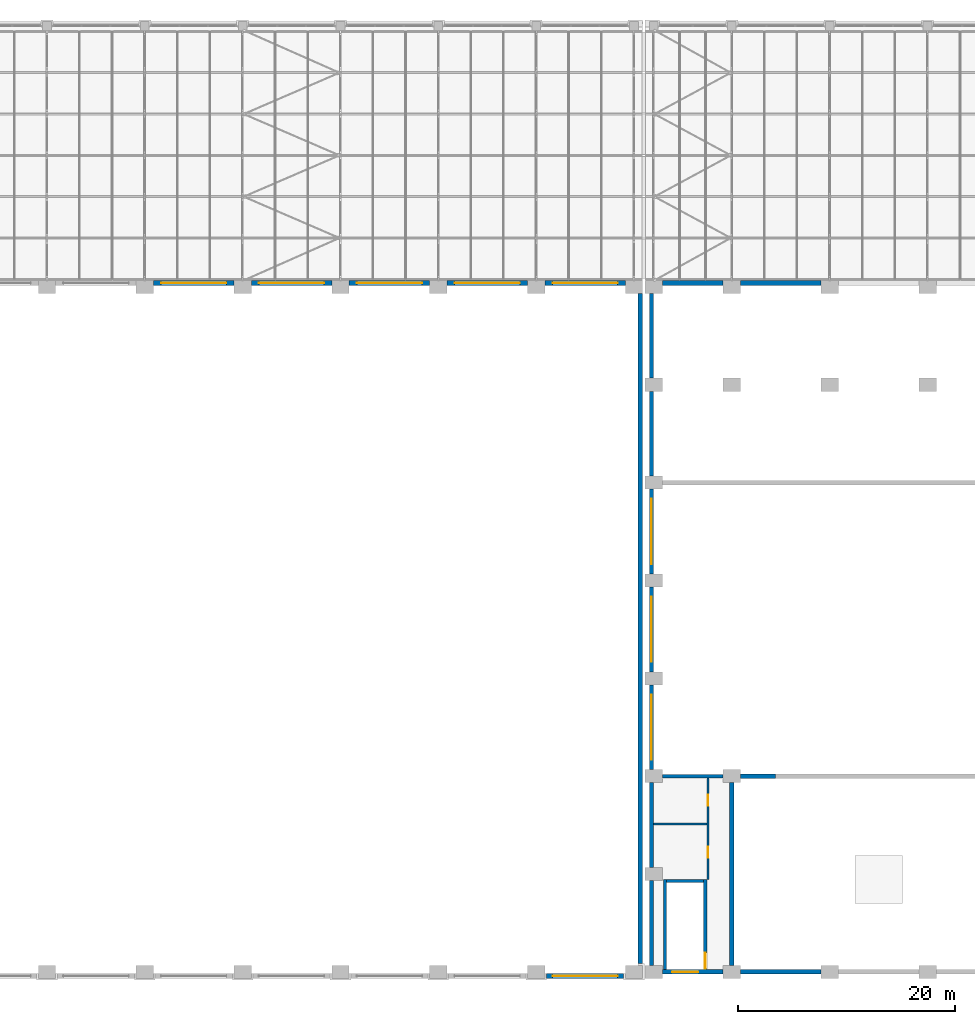
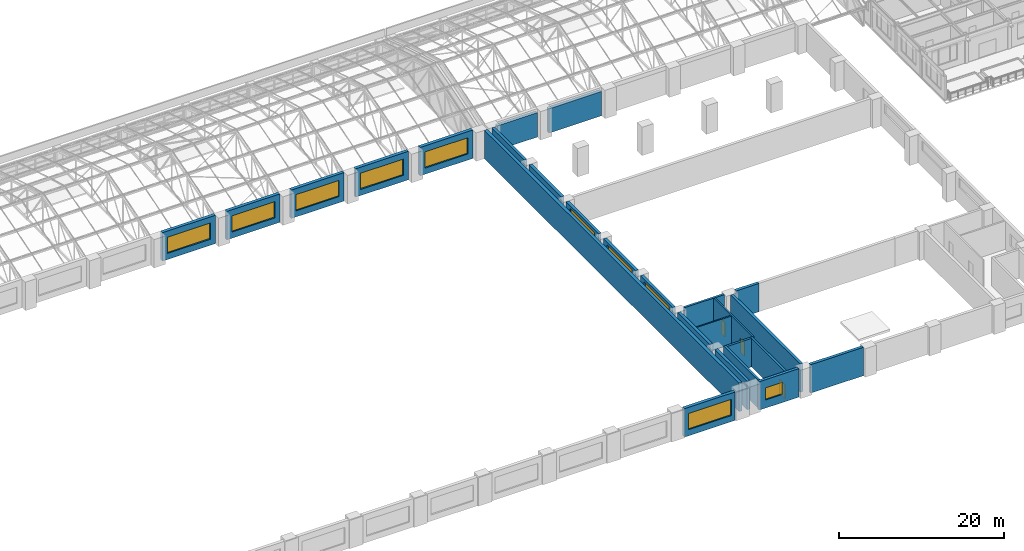
# One storey, part 55 of 82: 26 walls, 10 windows, 3 doors, 13 openings.
"""IFC4 building model written with IfcOpenShell, lengths in metres."""

import ifcopenshell
import ifcopenshell.guid

model = None  # the IFC model being written
_history = None  # IfcOwnerHistory: only IFC2X3 demands one
_inside = {}  # id of a spatial element -> (the spatial element, [elements in it])
_under = {}  # id of a project, library or spatial element -> (it, [spatial elements below it])
_declared = {}  # id of a project -> (the project, [libraries it declares])
_typed = {}  # id of a type object -> (the type object, [elements of that type])
_made_of = {}  # id of a material, layer set ... -> (it, [elements and type objects made of it])


def new_model(schema):
    """Start an empty IFC model of exactly this schema.

    Asked for "IFC4X3", IfcOpenShell would pick the latest addendum, in which some entities
    have other attributes; the version numbers below select the first issue.
    IFC2X3 requires an IfcOwnerHistory on every rooted entity: one is made here for all.
    """
    global model, _history
    if schema == "IFC4X3":
        model = ifcopenshell.file(schema_version=(4, 3, 0, 0))
    else:
        model = ifcopenshell.file(schema=schema)
    _inside.clear()
    _under.clear()
    _declared.clear()
    _typed.clear()
    _made_of.clear()
    _history = None
    if model.schema == "IFC2X3":
        org = make("IfcOrganization", Name="unknown")
        user = make(
            "IfcPersonAndOrganization",
            ThePerson=make("IfcPerson", FamilyName="unknown"),
            TheOrganization=org,
        )
        app = make(
            "IfcApplication",
            ApplicationDeveloper=org,
            Version="unknown",
            ApplicationFullName="unknown",
            ApplicationIdentifier="unknown",
        )
        _history = make(
            "IfcOwnerHistory",
            OwningUser=user,
            OwningApplication=app,
            ChangeAction="ADDED",
            CreationDate=0,
        )
    return model


def make(cls, **values):
    """One entity of the class cls with the attributes given. An attribute that is None is left unset."""
    return model.create_entity(
        cls, **{name: value for name, value in values.items() if value is not None}
    )


def rooted(cls, **values):
    """An entity with a GlobalId (a new one), such as an element, a storey or a relation."""
    return make(cls, GlobalId=ifcopenshell.guid.new(), OwnerHistory=_history, **values)


def si_unit(unit_type, name, prefix=None):
    """IfcSIUnit, for example si_unit("LENGTHUNIT", "METRE", prefix="MILLI")."""
    return make("IfcSIUnit", UnitType=unit_type, Prefix=prefix, Name=name)


def assignment(units):
    """IfcUnitAssignment: the units of a project."""
    return None if units is None else make("IfcUnitAssignment", Units=units)


def point(xyz):
    """IfcCartesianPoint."""
    return None if xyz is None else make("IfcCartesianPoint", Coordinates=xyz)


def direction(xyz):
    """IfcDirection."""
    return None if xyz is None else make("IfcDirection", DirectionRatios=xyz)


def frame(location, z_axis=None, x_axis=None):
    """IfcAxis2Placement3D, a coordinate frame: its origin and axes. An axis left out is left unset."""
    return make(
        "IfcAxis2Placement3D",
        Location=point(location),
        Axis=direction(z_axis),
        RefDirection=direction(x_axis),
    )


def frame_2d(location, x_axis=None):
    """IfcAxis2Placement2D, a coordinate frame in the plane: its origin and x axis."""
    return make(
        "IfcAxis2Placement2D", Location=point(location), RefDirection=direction(x_axis)
    )


def origin():
    """The frame at (0, 0, 0) with its axes left unset."""
    return frame((0.0, 0.0, 0.0))


def place(relative_to, where):
    """IfcLocalPlacement: puts the frame where relative to a parent placement (None: the world)."""
    return make(
        "IfcLocalPlacement", PlacementRelTo=relative_to, RelativePlacement=where
    )


def context(
    kind, dimensions, precision=None, world=None, true_north=None, identifier=None
):
    """IfcGeometricRepresentationContext, for example the 3D "Model" context."""
    return make(
        "IfcGeometricRepresentationContext",
        ContextIdentifier=identifier,
        ContextType=kind,
        CoordinateSpaceDimension=dimensions,
        Precision=precision,
        WorldCoordinateSystem=world,
        TrueNorth=true_north,
    )


def subcontext(parent, identifier, kind, view, scale=None):
    """IfcGeometricRepresentationSubContext, for example "Body" below "Model"."""
    return make(
        "IfcGeometricRepresentationSubContext",
        ContextIdentifier=identifier,
        ContextType=kind,
        ParentContext=parent,
        TargetScale=scale,
        TargetView=view,
    )


def project(units=None, contexts=None):
    """IfcProject with its units and contexts."""
    return rooted(
        "IfcProject",
        Name="project",
        RepresentationContexts=contexts,
        UnitsInContext=assignment(units),
    )


def spatial(cls, under=None, at=None, **own):
    """A site, building, storey or space (cls), placed at a placement, below another one or the project."""
    s = rooted(cls, ObjectPlacement=at, **own)
    if under is not None:
        _under.setdefault(under.id(), (under, []))[1].append(s)
    return s


def profile(cls, at=None, kind="AREA", **sizes):
    """A parametric profile (cls). Its sizes go by their IFC names, for example OverallWidth=200.0."""
    return make(cls, ProfileType=kind, Position=at, **sizes)


def rectangle(**sizes):
    """IfcRectangleProfileDef."""
    return profile("IfcRectangleProfileDef", **sizes)


def extrude(swept, where, along, depth):
    """IfcExtrudedAreaSolid: the profile swept, set in the frame where, extruded along a direction by depth."""
    return make(
        "IfcExtrudedAreaSolid",
        SweptArea=swept,
        Position=where,
        ExtrudedDirection=direction(along),
        Depth=depth,
    )


def shape(context_of_items, identifier, shape_type, items):
    """IfcShapeRepresentation: the items that make up one representation, for example the "Body"."""
    return make(
        "IfcShapeRepresentation",
        ContextOfItems=context_of_items,
        RepresentationIdentifier=identifier,
        RepresentationType=shape_type,
        Items=items,
    )


def material(Name=None, Category=None):
    """IfcMaterial."""
    return make("IfcMaterial", Name=Name, Category=Category)


def layer(
    of_material, thickness, ventilated=None, Name=None, Category=None, Priority=None
):
    """IfcMaterialLayer: one layer of a wall or slab, of a material (None: an air gap)."""
    return make(
        "IfcMaterialLayer",
        Material=of_material,
        LayerThickness=thickness,
        IsVentilated=ventilated,
        Name=Name,
        Category=Category,
        Priority=Priority,
    )


def layer_set(layers, Name=None):
    """IfcMaterialLayerSet."""
    return make("IfcMaterialLayerSet", MaterialLayers=layers, LayerSetName=Name)


def made_of(thing, what):
    """Note that an element or type object is made of a material, layer set ...; save() writes the relation."""
    if what is not None:
        _made_of.setdefault(what.id(), (what, []))[1].append(thing)
    return thing


def type_object(cls, material=None, **own):
    """A type object (cls), such as IfcWallType, which elements share."""
    return made_of(rooted(cls, **own), material)


def element(
    cls,
    number,
    at=None,
    inside=None,
    cuts=None,
    type_object=None,
    material=None,
    context=None,
    identifier="Body",
    shape_type=None,
    held_by="IfcProductDefinitionShape",
    body=None,
    shapes=None,
    **own,
):
    """One element of the class cls, such as IfcWall. Its Tag is "e" and its number.

    at: its placement. inside: the storey or other place that contains it. cuts: it is an
    opening in that element (IfcRelVoidsElement). A single representation is given by context,
    identifier, shape_type and body (its items); several are given by shapes. held_by: the class
    of the entity that holds the representations. save() writes the other relations.
    """
    e = rooted(cls, Tag="e%d" % number, ObjectPlacement=at, **own)
    if body is not None:
        shapes = [shape(context, identifier, shape_type, body)]
    if shapes is not None:
        e.Representation = make(held_by, Representations=shapes)
    if inside is not None:
        _inside.setdefault(inside.id(), (inside, []))[1].append(e)
    if cuts is not None:
        rooted(
            "IfcRelVoidsElement", RelatingBuildingElement=cuts, RelatedOpeningElement=e
        )
    if type_object is not None:
        _typed.setdefault(type_object.id(), (type_object, []))[1].append(e)
    return made_of(e, material)


def fill(opening, filler):
    """IfcRelFillsElement: the door or window that sits in an opening."""
    return rooted(
        "IfcRelFillsElement",
        RelatingOpeningElement=opening,
        RelatedBuildingElement=filler,
    )


def aggregate(whole, parts):
    """IfcRelAggregates: a whole, such as a stair, and the parts it consists of."""
    return rooted("IfcRelAggregates", RelatingObject=whole, RelatedObjects=parts)


def save(model, path):
    """Write the relations noted so far, then the file.

    IfcRelAggregates (storeys below a building ...), IfcRelContainedInSpatialStructure (elements
    in a storey), IfcRelDefinesByType, IfcRelAssociatesMaterial and IfcRelDeclares: one each for
    every whole, place, type object, material and project.
    """
    for whole, parts in _under.values():
        aggregate(whole, parts)
    for where, things in _inside.values():
        rooted(
            "IfcRelContainedInSpatialStructure",
            RelatedElements=things,
            RelatingStructure=where,
        )
    for kind, things in _typed.values():
        rooted("IfcRelDefinesByType", RelatedObjects=things, RelatingType=kind)
    for what, things in _made_of.values():
        rooted("IfcRelAssociatesMaterial", RelatedObjects=things, RelatingMaterial=what)
    for by, libraries in _declared.values():
        rooted("IfcRelDeclares", RelatingContext=by, RelatedDefinitions=libraries)
    model.write(path)


model = new_model("IFC4")

# Units and contexts
model_context = context("Model", 3, precision=1e-05, world=origin(), true_north=direction((0.0, 1.0)))
body_context = subcontext(model_context, "Body", "Model", "MODEL_VIEW")
ifc_project = project(units=[si_unit("LENGTHUNIT", "METRE"), si_unit("AREAUNIT", "SQUARE_METRE"), si_unit("VOLUMEUNIT", "CUBIC_METRE"), si_unit("PLANEANGLEUNIT", "RADIAN"), si_unit("MASSUNIT", "GRAM", prefix="KILO")], contexts=[model_context])

# Site, building, storey
site_placement = place(None, origin())
site = spatial("IfcSite", under=ifc_project, at=site_placement, CompositionType="ELEMENT")
building_placement = place(site_placement, origin())
building = spatial("IfcBuilding", under=site, at=building_placement, Name="Aravalli Gate Trade Fair Centre", CompositionType="ELEMENT")
storey_placement = place(building_placement, frame((0.0, 0.0, 19.199951171875)))
storey = spatial("IfcBuildingStorey", under=building, at=storey_placement, Name="L04", CompositionType="ELEMENT", Elevation=19.199951171875)

# Walls
ifc_material_1 = material(Name="Concrete M40", Category="concrete")
ifc_layer_1 = layer(ifc_material_1, 0.300048828125)
ifc_layer_set_1 = layer_set([ifc_layer_1], Name="Concrete M40")
wall_type_1 = type_object("IfcWallType", Name="Congress RC wall 300", PredefinedType="SHEAR", material=ifc_layer_set_1)
wall_1_placement = place(storey_placement, frame((107.60009765625, 64.0, 0.0), z_axis=(0.0, 0.0, 1.0), x_axis=(1.0, 0.0, 0.0)))
element("IfcWall", 1, at=wall_1_placement, inside=storey, type_object=wall_type_1, Name="Stage wing north wall W L04", PredefinedType="SHEAR", context=body_context, shape_type="SweptSolid", body=[
    extrude(rectangle(XDim=5.599853515625, YDim=0.300048828125, at=frame_2d((2.7998046875, 0.0))), origin(), (0.0, 0.0, 1.0), 4.199951171875),
])
wall_2_placement = place(storey_placement, frame((107.85009765625, 46.199951171875, 0.0), z_axis=(0.0, 0.0, 1.0), x_axis=(0.0, 1.0, 0.0)))
element("IfcWall", 2, at=wall_2_placement, inside=storey, type_object=wall_type_1, Name="Stage Stair West wall W L04", PredefinedType="SHEAR", context=body_context, shape_type="SweptSolid", body=[
    extrude(rectangle(XDim=8.300048828125, YDim=0.300048828125, at=frame_2d((4.14990234375, 0.0))), origin(), (0.0, 0.0, 1.0), 4.199951171875),
])

# Wall, opening, door
wall_3_placement = place(storey_placement, frame((111.550048828125, 46.199951171875, 0.0), z_axis=(0.0, 0.0, 1.0), x_axis=(0.0, 1.0, 0.0)))
wall_3 = element("IfcWall", 3, at=wall_3_placement, inside=storey, type_object=wall_type_1, Name="Stage Stair West wall E L04", PredefinedType="SHEAR", context=body_context, shape_type="SweptSolid", body=[
    extrude(rectangle(XDim=8.300048828125, YDim=0.300048828125, at=frame_2d((4.14990234375, 0.0))), origin(), (0.0, 0.0, 1.0), 4.199951171875),
])
opening_1_placement = place(wall_3_placement, frame((0.0849609375, 0.0, 0.0)))
opening_1 = element("IfcOpeningElement", 4, at=opening_1_placement, cuts=wall_3, Name="Opening G-L04-01", PredefinedType="OPENING", context=body_context, shape_type="SweptSolid", body=[
    extrude(rectangle(XDim=1.449951171875, YDim=2.10009765625, at=frame_2d((0.72509765625, 1.050048828125))), frame((0.0, 0.159912109375, 0.0), z_axis=(0.0, -1.0, 0.0), x_axis=(1.0, 0.0, 0.0)), (0.0, 0.0, 1.0), 0.320068359375),
])
ifc_material_2 = material(Name="Steel, fire rated", Category="steel")
door_type_1 = type_object("IfcDoorType", Name="Congress fire door FD120 1450 x 2100", OperationType="SINGLE_SWING_LEFT", PredefinedType="DOOR", material=ifc_material_2)
door_1_placement = place(opening_1_placement, origin())
door_1 = element("IfcDoor", 5, at=door_1_placement, inside=storey, type_object=door_type_1, Name="Stage Stair West door L04", OperationType="SINGLE_SWING_LEFT", OverallHeight=2.10009765625, OverallWidth=1.449951171875, PredefinedType="DOOR", context=body_context, shape_type="SweptSolid", body=[
    extrude(rectangle(XDim=1.449951171875, YDim=2.10009765625, at=frame_2d((0.72509765625, 1.050048828125))), frame((0.0, 0.02490234375, 0.0), z_axis=(0.0, -1.0, 0.0), x_axis=(1.0, 0.0, 0.0)), (0.0, 0.0, 1.0), 0.050048828125),
])
fill(opening_1, door_1)

# Walls
wall_4_placement = place(storey_placement, frame((108.0, 54.35009765625, 0.0), z_axis=(0.0, 0.0, 1.0), x_axis=(1.0, 0.0, 0.0)))
element("IfcWall", 6, at=wall_4_placement, inside=storey, type_object=wall_type_1, Name="Stage Stair West wall N L04", PredefinedType="SHEAR", context=body_context, shape_type="SweptSolid", body=[
    extrude(rectangle(XDim=3.39990234375, YDim=0.300048828125, at=frame_2d((1.699951171875, 0.0))), origin(), (0.0, 0.0, 1.0), 4.199951171875),
])
ifc_layer_2 = layer(ifc_material_1, 0.39990234375)
ifc_layer_set_2 = layer_set([ifc_layer_2], Name="Concrete M40")
wall_type_2 = type_object("IfcWallType", Name="Congress RC wall 400", PredefinedType="SHEAR", material=ifc_layer_set_2)
wall_5_placement = place(storey_placement, frame((114.0, 46.60009765625, 0.0), z_axis=(0.0, 0.0, 1.0), x_axis=(0.0, 1.0, 0.0)))
element("IfcWall", 7, at=wall_5_placement, inside=storey, type_object=wall_type_2, Name="Stage house wall line 114 L04", PredefinedType="SHEAR", context=body_context, shape_type="SweptSolid", body=[
    extrude(rectangle(XDim=16.7998046875, YDim=0.39990234375, at=frame_2d((8.39990234375, 0.0))), origin(), (0.0, 0.0, 1.0), 4.199951171875),
])
wall_6_placement = place(storey_placement, frame((114.800048828125, 64.0, 0.0), z_axis=(0.0, 0.0, 1.0), x_axis=(1.0, 0.0, 0.0)))
element("IfcWall", 8, at=wall_6_placement, inside=storey, type_object=wall_type_2, Name="Proscenium wall W L04", PredefinedType="SHEAR", context=body_context, shape_type="SweptSolid", body=[
    extrude(rectangle(XDim=3.199951171875, YDim=0.39990234375, at=frame_2d((1.60009765625, 0.0))), origin(), (0.0, 0.0, 1.0), 4.199951171875),
])
ifc_layer_3 = layer(ifc_material_1, 0.25, Name="Structural wall")
ifc_material_3 = material(Name="Ventilated air cavity")
ifc_layer_4 = layer(ifc_material_3, 0.050048828125, ventilated=True, Name="Ventilated cavity")
ifc_material_4 = material(Name="Terracotta rainscreen", Category="masonry")
ifc_layer_5 = layer(ifc_material_4, 0.10009765625, Name="Rainscreen cladding")
ifc_layer_set_3 = layer_set([ifc_layer_3, ifc_layer_4, ifc_layer_5], Name="Congress external wall 400")
wall_type_3 = type_object("IfcWallType", Name="Congress external wall 400", PredefinedType="SOLIDWALL", material=ifc_layer_set_3)
for number, where, z_axis, x_axis, name in (
    (9, (106.60009765625, 46.60009765625, 0.0), (0.0, 0.0, 1.0), (0.0, 1.0, 0.0), "West wall L04 bay 1"),
    (10, (106.60009765625, 55.60009765625, 0.0), (0.0, 0.0, 1.0), (0.0, 1.0, 0.0), "West wall L04 bay 2"),
):
    element("IfcWall", number, at=place(storey_placement, frame(where, z_axis=z_axis, x_axis=x_axis)), inside=storey, type_object=wall_type_3, Name=name, PredefinedType="SOLIDWALL", context=body_context, shape_type="SweptSolid", body=[
        extrude(rectangle(XDim=7.7998046875, YDim=0.39990234375, at=frame_2d((3.89990234375, 0.0))), origin(), (0.0, 0.0, 1.0), 4.199951171875),
    ])

# Wall, opening, window
wall_7_placement = place(storey_placement, frame((106.60009765625, 64.60009765625, 0.0), z_axis=(0.0, 0.0, 1.0), x_axis=(0.0, 1.0, 0.0)))
wall_7 = element("IfcWall", 11, at=wall_7_placement, inside=storey, type_object=wall_type_3, Name="West wall L04 bay 3", PredefinedType="SOLIDWALL", context=body_context, shape_type="SweptSolid", body=[
    extrude(rectangle(XDim=7.7998046875, YDim=0.39990234375, at=frame_2d((3.89990234375, 0.0))), origin(), (0.0, 0.0, 1.0), 4.199951171875),
])
opening_2_placement = place(wall_7_placement, frame((0.89990234375, 0.0, 2.39990234375)))
opening_2 = element("IfcOpeningElement", 12, at=opening_2_placement, cuts=wall_7, Name="Opening GWN2", PredefinedType="OPENING", context=body_context, shape_type="SweptSolid", body=[
    extrude(rectangle(XDim=6.0, YDim=1.39990234375, at=frame_2d((3.0, 0.699951171875))), frame((0.0, 0.2099609375, 0.0), z_axis=(0.0, -1.0, 0.0), x_axis=(1.0, 0.0, 0.0)), (0.0, 0.0, 1.0), 0.419921875),
])
ifc_material_5 = material(Name="Aluminium and glass", Category="aluminium")
window_type_1 = type_object("IfcWindowType", Name="Congress clerestory window 6000 x 1400", PartitioningType="SINGLE_PANEL", PredefinedType="WINDOW", material=ifc_material_5)
window_1_placement = place(opening_2_placement, origin())
window_1 = element("IfcWindow", 13, at=window_1_placement, inside=storey, type_object=window_type_1, Name="Clerestory W 3", OverallHeight=1.39990234375, OverallWidth=6.0, PartitioningType="SINGLE_PANEL", PredefinedType="WINDOW", context=body_context, shape_type="SweptSolid", body=[
    extrude(rectangle(XDim=6.0, YDim=1.39990234375, at=frame_2d((3.0, 0.699951171875))), frame((0.0, 0.030029296875, 0.0), z_axis=(0.0, -1.0, 0.0), x_axis=(1.0, 0.0, 0.0)), (0.0, 0.0, 1.0), 0.06005859375),
])
fill(opening_2, window_1)

wall_8_placement = place(storey_placement, frame((106.60009765625, 73.60009765625, 0.0), z_axis=(0.0, 0.0, 1.0), x_axis=(0.0, 1.0, 0.0)))
wall_8 = element("IfcWall", 14, at=wall_8_placement, inside=storey, type_object=wall_type_3, Name="West wall L04 bay 4", PredefinedType="SOLIDWALL", context=body_context, shape_type="SweptSolid", body=[
    extrude(rectangle(XDim=7.7998046875, YDim=0.39990234375, at=frame_2d((3.89990234375, 0.0))), origin(), (0.0, 0.0, 1.0), 4.199951171875),
])
opening_3_placement = place(wall_8_placement, frame((0.89990234375, 0.0, 2.39990234375)))
opening_3 = element("IfcOpeningElement", 15, at=opening_3_placement, cuts=wall_8, Name="Opening GWN2", PredefinedType="OPENING", context=body_context, shape_type="SweptSolid", body=[
    extrude(rectangle(XDim=6.0, YDim=1.39990234375, at=frame_2d((3.0, 0.699951171875))), frame((0.0, 0.2099609375, 0.0), z_axis=(0.0, -1.0, 0.0), x_axis=(1.0, 0.0, 0.0)), (0.0, 0.0, 1.0), 0.419921875),
])
window_2_placement = place(opening_3_placement, origin())
window_2 = element("IfcWindow", 16, at=window_2_placement, inside=storey, type_object=window_type_1, Name="Clerestory W 4", OverallHeight=1.39990234375, OverallWidth=6.0, PartitioningType="SINGLE_PANEL", PredefinedType="WINDOW", context=body_context, shape_type="SweptSolid", body=[
    extrude(rectangle(XDim=6.0, YDim=1.39990234375, at=frame_2d((3.0, 0.699951171875))), frame((0.0, 0.030029296875, 0.0), z_axis=(0.0, -1.0, 0.0), x_axis=(1.0, 0.0, 0.0)), (0.0, 0.0, 1.0), 0.06005859375),
])
fill(opening_3, window_2)

wall_9_placement = place(storey_placement, frame((106.60009765625, 82.60009765625, 0.0), z_axis=(0.0, 0.0, 1.0), x_axis=(0.0, 1.0, 0.0)))
wall_9 = element("IfcWall", 17, at=wall_9_placement, inside=storey, type_object=wall_type_3, Name="West wall L04 bay 5", PredefinedType="SOLIDWALL", context=body_context, shape_type="SweptSolid", body=[
    extrude(rectangle(XDim=7.7998046875, YDim=0.39990234375, at=frame_2d((3.89990234375, 0.0))), origin(), (0.0, 0.0, 1.0), 4.199951171875),
])
opening_4_placement = place(wall_9_placement, frame((0.89990234375, 0.0, 2.39990234375)))
opening_4 = element("IfcOpeningElement", 18, at=opening_4_placement, cuts=wall_9, Name="Opening GWN2", PredefinedType="OPENING", context=body_context, shape_type="SweptSolid", body=[
    extrude(rectangle(XDim=6.0, YDim=1.39990234375, at=frame_2d((3.0, 0.699951171875))), frame((0.0, 0.2099609375, 0.0), z_axis=(0.0, -1.0, 0.0), x_axis=(1.0, 0.0, 0.0)), (0.0, 0.0, 1.0), 0.419921875),
])
window_3_placement = place(opening_4_placement, origin())
window_3 = element("IfcWindow", 19, at=window_3_placement, inside=storey, type_object=window_type_1, Name="Clerestory W 5", OverallHeight=1.39990234375, OverallWidth=6.0, PartitioningType="SINGLE_PANEL", PredefinedType="WINDOW", context=body_context, shape_type="SweptSolid", body=[
    extrude(rectangle(XDim=6.0, YDim=1.39990234375, at=frame_2d((3.0, 0.699951171875))), frame((0.0, 0.030029296875, 0.0), z_axis=(0.0, -1.0, 0.0), x_axis=(1.0, 0.0, 0.0)), (0.0, 0.0, 1.0), 0.06005859375),
])
fill(opening_4, window_3)

# Walls
for number, where, z_axis, x_axis, name in (
    (20, (106.60009765625, 91.60009765625, 0.0), (0.0, 0.0, 1.0), (0.0, 1.0, 0.0), "West wall L04 bay 6"),
    (21, (106.60009765625, 100.60009765625, 0.0), (0.0, 0.0, 1.0), (0.0, 1.0, 0.0), "West wall L04 bay 7"),
):
    element("IfcWall", number, at=place(storey_placement, frame(where, z_axis=z_axis, x_axis=x_axis)), inside=storey, type_object=wall_type_3, Name=name, PredefinedType="SOLIDWALL", context=body_context, shape_type="SweptSolid", body=[
        extrude(rectangle(XDim=7.7998046875, YDim=0.39990234375, at=frame_2d((3.89990234375, 0.0))), origin(), (0.0, 0.0, 1.0), 4.199951171875),
    ])

# Wall, opening, window
wall_10_placement = place(storey_placement, frame((107.60009765625, 46.0, 0.0), z_axis=(0.0, 0.0, 1.0), x_axis=(1.0, 0.0, 0.0)))
wall_10 = element("IfcWall", 22, at=wall_10_placement, inside=storey, type_object=wall_type_3, Name="South wall L04 bay 1", PredefinedType="SOLIDWALL", context=body_context, shape_type="SweptSolid", body=[
    extrude(rectangle(XDim=5.599853515625, YDim=0.39990234375, at=frame_2d((2.7998046875, 0.0))), origin(), (0.0, 0.0, 1.0), 4.199951171875),
])
opening_5_placement = place(wall_10_placement, frame((0.89990234375, 0.0, 1.199951171875)))
opening_5 = element("IfcOpeningElement", 23, at=opening_5_placement, cuts=wall_10, Name="Opening GWN4", PredefinedType="OPENING", context=body_context, shape_type="SweptSolid", body=[
    extrude(rectangle(XDim=2.39990234375, YDim=1.800048828125, at=frame_2d((1.199951171875, 0.89990234375))), frame((0.0, 0.2099609375, 0.0), z_axis=(0.0, -1.0, 0.0), x_axis=(1.0, 0.0, 0.0)), (0.0, 0.0, 1.0), 0.419921875),
])
window_type_2 = type_object("IfcWindowType", Name="Congress wing window 2400 x 1800", PartitioningType="DOUBLE_PANEL_VERTICAL", PredefinedType="WINDOW", material=ifc_material_5)
window_4_placement = place(opening_5_placement, origin())
window_4 = element("IfcWindow", 24, at=window_4_placement, inside=storey, type_object=window_type_2, Name="South window L04 bay 1", OverallHeight=1.800048828125, OverallWidth=2.39990234375, PartitioningType="SINGLE_PANEL", PredefinedType="WINDOW", context=body_context, shape_type="SweptSolid", body=[
    extrude(rectangle(XDim=2.39990234375, YDim=1.800048828125, at=frame_2d((1.199951171875, 0.89990234375))), frame((0.0, 0.030029296875, 0.0), z_axis=(0.0, -1.0, 0.0), x_axis=(1.0, 0.0, 0.0)), (0.0, 0.0, 1.0), 0.06005859375),
])
fill(opening_5, window_4)

# Wall
wall_11_placement = place(storey_placement, frame((114.800048828125, 46.0, 0.0), z_axis=(0.0, 0.0, 1.0), x_axis=(1.0, 0.0, 0.0)))
element("IfcWall", 25, at=wall_11_placement, inside=storey, type_object=wall_type_3, Name="South wall L04 bay 2", PredefinedType="SOLIDWALL", context=body_context, shape_type="SweptSolid", body=[
    extrude(rectangle(XDim=7.39990234375, YDim=0.39990234375, at=frame_2d((3.699951171875, 0.0))), origin(), (0.0, 0.0, 1.0), 4.199951171875),
])

# Wall, openings, doors
ifc_material_6 = material(Name="Concrete block masonry", Category="masonry")
ifc_layer_6 = layer(ifc_material_6, 0.199951171875)
ifc_layer_set_4 = layer_set([ifc_layer_6], Name="Concrete block masonry")
wall_type_4 = type_object("IfcWallType", Name="Congress partition 200", PredefinedType="PARTITIONING", material=ifc_layer_set_4)
wall_12_placement = place(storey_placement, frame((111.800048828125, 54.5, 0.0), z_axis=(0.0, 0.0, 1.0), x_axis=(0.0, 1.0, 0.0)))
wall_12 = element("IfcWall", 26, at=wall_12_placement, inside=storey, type_object=wall_type_4, Name="Wing partition W L04", PredefinedType="PARTITIONING", context=body_context, shape_type="SweptSolid", body=[
    extrude(rectangle(XDim=9.35009765625, YDim=0.199951171875, at=frame_2d((4.675048828125, 0.0))), origin(), (0.0, 0.0, 1.0), 4.199951171875),
])
opening_6_placement = place(wall_12_placement, frame((2.0, 0.0, 0.0)))
opening_6 = element("IfcOpeningElement", 27, at=opening_6_placement, cuts=wall_12, Name="Opening G-L04-03", PredefinedType="OPENING", context=body_context, shape_type="SweptSolid", body=[
    extrude(rectangle(XDim=1.0, YDim=2.10009765625, at=frame_2d((0.5, 1.050048828125))), frame((0.0, 0.10986328125, 0.0), z_axis=(0.0, -1.0, 0.0), x_axis=(1.0, 0.0, 0.0)), (0.0, 0.0, 1.0), 0.219970703125),
])
opening_7_placement = place(wall_12_placement, frame((6.77490234375, 0.0, 0.0)))
opening_7 = element("IfcOpeningElement", 28, at=opening_7_placement, cuts=wall_12, Name="Opening G-L04-04", PredefinedType="OPENING", context=body_context, shape_type="SweptSolid", body=[
    extrude(rectangle(XDim=1.0, YDim=2.10009765625, at=frame_2d((0.5, 1.050048828125))), frame((0.0, 0.10986328125, 0.0), z_axis=(0.0, -1.0, 0.0), x_axis=(1.0, 0.0, 0.0)), (0.0, 0.0, 1.0), 0.219970703125),
])
door_type_2 = type_object("IfcDoorType", Name="Congress fire door FD120 1000 x 2100", OperationType="SINGLE_SWING_LEFT", PredefinedType="DOOR", material=ifc_material_2)
door_2_placement = place(opening_6_placement, origin())
door_2 = element("IfcDoor", 29, at=door_2_placement, inside=storey, type_object=door_type_2, Name="Wing room door W L04 a", OperationType="SINGLE_SWING_LEFT", OverallHeight=2.10009765625, OverallWidth=1.0, PredefinedType="DOOR", context=body_context, shape_type="SweptSolid", body=[
    extrude(rectangle(XDim=1.0, YDim=2.10009765625, at=frame_2d((0.5, 1.050048828125))), frame((0.0, 0.02490234375, 0.0), z_axis=(0.0, -1.0, 0.0), x_axis=(1.0, 0.0, 0.0)), (0.0, 0.0, 1.0), 0.050048828125),
])
fill(opening_6, door_2)
door_3_placement = place(opening_7_placement, origin())
door_3 = element("IfcDoor", 30, at=door_3_placement, inside=storey, type_object=door_type_2, Name="Wing room door W L04 b", OperationType="SINGLE_SWING_RIGHT", OverallHeight=2.10009765625, OverallWidth=1.0, PredefinedType="DOOR", context=body_context, shape_type="SweptSolid", body=[
    extrude(rectangle(XDim=1.0, YDim=2.10009765625, at=frame_2d((0.5, 1.050048828125))), frame((0.0, 0.02490234375, 0.0), z_axis=(0.0, -1.0, 0.0), x_axis=(1.0, 0.0, 0.0)), (0.0, 0.0, 1.0), 0.050048828125),
])
fill(opening_7, door_3)

# Walls
wall_13_placement = place(storey_placement, frame((106.800048828125, 59.60009765625, 0.0), z_axis=(0.0, 0.0, 1.0), x_axis=(1.0, 0.0, 0.0)))
element("IfcWall", 31, at=wall_13_placement, inside=storey, type_object=wall_type_4, Name="Wing room partition W L04", PredefinedType="PARTITIONING", context=body_context, shape_type="SweptSolid", body=[
    extrude(rectangle(XDim=4.89990234375, YDim=0.199951171875, at=frame_2d((2.449951171875, 0.0))), origin(), (0.0, 0.0, 1.0), 4.199951171875),
])
ifc_layer_7 = layer(ifc_material_1, 0.449951171875)
ifc_layer_set_5 = layer_set([ifc_layer_7], Name="Concrete M40")
wall_type_5 = type_object("IfcWallType", Name="Congress party wall 450", PredefinedType="SOLIDWALL", material=ifc_layer_set_5)
wall_14_placement = place(storey_placement, frame((107.60009765625, 109.375, 0.0), z_axis=(0.0, 0.0, 1.0), x_axis=(1.0, 0.0, 0.0)))
element("IfcWall", 32, at=wall_14_placement, inside=storey, type_object=wall_type_5, Name="North wall L04 bay 1", PredefinedType="SOLIDWALL", context=body_context, shape_type="SweptSolid", body=[
    extrude(rectangle(XDim=5.599853515625, YDim=0.449951171875, at=frame_2d((2.7998046875, 0.0))), origin(), (0.0, 0.0, 1.0), 3.60009765625),
])
wall_15_placement = place(storey_placement, frame((114.800048828125, 109.375, 0.0), z_axis=(0.0, 0.0, 1.0), x_axis=(1.0, 0.0, 0.0)))
element("IfcWall", 33, at=wall_15_placement, inside=storey, type_object=wall_type_5, Name="North wall L04 bay 2", PredefinedType="SOLIDWALL", context=body_context, shape_type="SweptSolid", body=[
    extrude(rectangle(XDim=7.39990234375, YDim=0.449951171875, at=frame_2d((3.699951171875, 0.0))), origin(), (0.0, 0.0, 1.0), 3.60009765625),
])

# Wall, opening, window
ifc_layer_8 = layer(ifc_material_1, 0.25, Name="Structural wall")
ifc_layer_9 = layer(ifc_material_3, 0.10009765625, ventilated=True, Name="Ventilated cavity")
ifc_layer_10 = layer(ifc_material_4, 0.10009765625, Name="Rainscreen cladding")
ifc_layer_set_6 = layer_set([ifc_layer_8, ifc_layer_9, ifc_layer_10], Name="Hall external wall 450")
wall_type_6 = type_object("IfcWallType", Name="Hall external wall 450", PredefinedType="SOLIDWALL", material=ifc_layer_set_6)
wall_16_placement = place(storey_placement, frame((60.800048828125, 109.375, 0.0), z_axis=(0.0, 0.0, 1.0), x_axis=(1.0, 0.0, 0.0)))
wall_16 = element("IfcWall", 34, at=wall_16_placement, inside=storey, type_object=wall_type_6, Name="Hall north wall bay 7 L04", PredefinedType="SOLIDWALL", context=body_context, shape_type="SweptSolid", body=[
    extrude(rectangle(XDim=7.39990234375, YDim=0.449951171875, at=frame_2d((3.699951171875, 0.0))), origin(), (0.0, 0.0, 1.0), 4.199951171875),
])
opening_8_placement = place(wall_16_placement, frame((0.699951171875, 0.0, 0.89990234375)))
opening_8 = element("IfcOpeningElement", 35, at=opening_8_placement, cuts=wall_16, Name="Opening HG1", PredefinedType="OPENING", context=body_context, shape_type="SweptSolid", body=[
    extrude(rectangle(XDim=6.0, YDim=2.39990234375, at=frame_2d((3.0, 1.199951171875))), frame((0.0, 0.23486328125, 0.0), z_axis=(0.0, -1.0, 0.0), x_axis=(1.0, 0.0, 0.0)), (0.0, 0.0, 1.0), 0.469970703125),
])
ifc_material_7 = material(Name="Glass in steel lattice frame", Category="steel")
window_type_3 = type_object("IfcWindowType", Name="Hall clerestory glazing 6000x2400", PartitioningType="TRIPLE_PANEL_VERTICAL", PredefinedType="WINDOW", material=ifc_material_7)
window_5_placement = place(opening_8_placement, origin())
window_5 = element("IfcWindow", 36, at=window_5_placement, inside=storey, type_object=window_type_3, Name="Hall north clerestory window bay 7 L04", OverallHeight=2.39990234375, OverallWidth=6.0, PartitioningType="TRIPLE_PANEL_VERTICAL", PredefinedType="WINDOW", context=body_context, shape_type="SweptSolid", body=[
    extrude(rectangle(XDim=6.0, YDim=2.39990234375, at=frame_2d((3.0, 1.199951171875))), frame((0.0, 0.030029296875, 0.0), z_axis=(0.0, -1.0, 0.0), x_axis=(1.0, 0.0, 0.0)), (0.0, 0.0, 1.0), 0.06005859375),
])
fill(opening_8, window_5)

wall_17_placement = place(storey_placement, frame((69.800048828125, 109.375, 0.0), z_axis=(0.0, 0.0, 1.0), x_axis=(1.0, 0.0, 0.0)))
wall_17 = element("IfcWall", 37, at=wall_17_placement, inside=storey, type_object=wall_type_6, Name="Hall north wall bay 8 L04", PredefinedType="SOLIDWALL", context=body_context, shape_type="SweptSolid", body=[
    extrude(rectangle(XDim=7.39990234375, YDim=0.449951171875, at=frame_2d((3.699951171875, 0.0))), origin(), (0.0, 0.0, 1.0), 4.199951171875),
])
opening_9_placement = place(wall_17_placement, frame((0.699951171875, 0.0, 0.89990234375)))
opening_9 = element("IfcOpeningElement", 38, at=opening_9_placement, cuts=wall_17, Name="Opening HG1", PredefinedType="OPENING", context=body_context, shape_type="SweptSolid", body=[
    extrude(rectangle(XDim=6.0, YDim=2.39990234375, at=frame_2d((3.0, 1.199951171875))), frame((0.0, 0.23486328125, 0.0), z_axis=(0.0, -1.0, 0.0), x_axis=(1.0, 0.0, 0.0)), (0.0, 0.0, 1.0), 0.469970703125),
])
window_6_placement = place(opening_9_placement, origin())
window_6 = element("IfcWindow", 39, at=window_6_placement, inside=storey, type_object=window_type_3, Name="Hall north clerestory window bay 8 L04", OverallHeight=2.39990234375, OverallWidth=6.0, PartitioningType="TRIPLE_PANEL_VERTICAL", PredefinedType="WINDOW", context=body_context, shape_type="SweptSolid", body=[
    extrude(rectangle(XDim=6.0, YDim=2.39990234375, at=frame_2d((3.0, 1.199951171875))), frame((0.0, 0.030029296875, 0.0), z_axis=(0.0, -1.0, 0.0), x_axis=(1.0, 0.0, 0.0)), (0.0, 0.0, 1.0), 0.06005859375),
])
fill(opening_9, window_6)

wall_18_placement = place(storey_placement, frame((78.800048828125, 109.375, 0.0), z_axis=(0.0, 0.0, 1.0), x_axis=(1.0, 0.0, 0.0)))
wall_18 = element("IfcWall", 40, at=wall_18_placement, inside=storey, type_object=wall_type_6, Name="Hall north wall bay 9 L04", PredefinedType="SOLIDWALL", context=body_context, shape_type="SweptSolid", body=[
    extrude(rectangle(XDim=7.39990234375, YDim=0.449951171875, at=frame_2d((3.699951171875, 0.0))), origin(), (0.0, 0.0, 1.0), 4.199951171875),
])
opening_10_placement = place(wall_18_placement, frame((0.699951171875, 0.0, 0.89990234375)))
opening_10 = element("IfcOpeningElement", 41, at=opening_10_placement, cuts=wall_18, Name="Opening HG1", PredefinedType="OPENING", context=body_context, shape_type="SweptSolid", body=[
    extrude(rectangle(XDim=6.0, YDim=2.39990234375, at=frame_2d((3.0, 1.199951171875))), frame((0.0, 0.23486328125, 0.0), z_axis=(0.0, -1.0, 0.0), x_axis=(1.0, 0.0, 0.0)), (0.0, 0.0, 1.0), 0.469970703125),
])
window_7_placement = place(opening_10_placement, origin())
window_7 = element("IfcWindow", 42, at=window_7_placement, inside=storey, type_object=window_type_3, Name="Hall north clerestory window bay 9 L04", OverallHeight=2.39990234375, OverallWidth=6.0, PartitioningType="TRIPLE_PANEL_VERTICAL", PredefinedType="WINDOW", context=body_context, shape_type="SweptSolid", body=[
    extrude(rectangle(XDim=6.0, YDim=2.39990234375, at=frame_2d((3.0, 1.199951171875))), frame((0.0, 0.030029296875, 0.0), z_axis=(0.0, -1.0, 0.0), x_axis=(1.0, 0.0, 0.0)), (0.0, 0.0, 1.0), 0.06005859375),
])
fill(opening_10, window_7)

wall_19_placement = place(storey_placement, frame((87.800048828125, 109.375, 0.0), z_axis=(0.0, 0.0, 1.0), x_axis=(1.0, 0.0, 0.0)))
wall_19 = element("IfcWall", 43, at=wall_19_placement, inside=storey, type_object=wall_type_6, Name="Hall north wall bay 10 L04", PredefinedType="SOLIDWALL", context=body_context, shape_type="SweptSolid", body=[
    extrude(rectangle(XDim=7.39990234375, YDim=0.449951171875, at=frame_2d((3.699951171875, 0.0))), origin(), (0.0, 0.0, 1.0), 4.199951171875),
])
opening_11_placement = place(wall_19_placement, frame((0.699951171875, 0.0, 0.89990234375)))
opening_11 = element("IfcOpeningElement", 44, at=opening_11_placement, cuts=wall_19, Name="Opening HG1", PredefinedType="OPENING", context=body_context, shape_type="SweptSolid", body=[
    extrude(rectangle(XDim=6.0, YDim=2.39990234375, at=frame_2d((3.0, 1.199951171875))), frame((0.0, 0.23486328125, 0.0), z_axis=(0.0, -1.0, 0.0), x_axis=(1.0, 0.0, 0.0)), (0.0, 0.0, 1.0), 0.469970703125),
])
window_8_placement = place(opening_11_placement, origin())
window_8 = element("IfcWindow", 45, at=window_8_placement, inside=storey, type_object=window_type_3, Name="Hall north clerestory window bay 10 L04", OverallHeight=2.39990234375, OverallWidth=6.0, PartitioningType="TRIPLE_PANEL_VERTICAL", PredefinedType="WINDOW", context=body_context, shape_type="SweptSolid", body=[
    extrude(rectangle(XDim=6.0, YDim=2.39990234375, at=frame_2d((3.0, 1.199951171875))), frame((0.0, 0.030029296875, 0.0), z_axis=(0.0, -1.0, 0.0), x_axis=(1.0, 0.0, 0.0)), (0.0, 0.0, 1.0), 0.06005859375),
])
fill(opening_11, window_8)

wall_20_placement = place(storey_placement, frame((96.949951171875, 45.625, 0.0), z_axis=(0.0, 0.0, 1.0), x_axis=(1.0, 0.0, 0.0)))
wall_20 = element("IfcWall", 46, at=wall_20_placement, inside=storey, type_object=wall_type_6, Name="Hall south wall bay 11 L04", PredefinedType="SOLIDWALL", context=body_context, shape_type="SweptSolid", body=[
    extrude(rectangle(XDim=7.10009765625, YDim=0.449951171875, at=frame_2d((3.550048828125, 0.0))), origin(), (0.0, 0.0, 1.0), 4.199951171875),
])
opening_12_placement = place(wall_20_placement, frame((0.550048828125, 0.0, 0.89990234375)))
opening_12 = element("IfcOpeningElement", 47, at=opening_12_placement, cuts=wall_20, Name="Opening HG1", PredefinedType="OPENING", context=body_context, shape_type="SweptSolid", body=[
    extrude(rectangle(XDim=6.0, YDim=2.39990234375, at=frame_2d((3.0, 1.199951171875))), frame((0.0, 0.23486328125, 0.0), z_axis=(0.0, -1.0, 0.0), x_axis=(1.0, 0.0, 0.0)), (0.0, 0.0, 1.0), 0.469970703125),
])
window_9_placement = place(opening_12_placement, origin())
window_9 = element("IfcWindow", 48, at=window_9_placement, inside=storey, type_object=window_type_3, Name="Hall south clerestory window bay 11 L04", OverallHeight=2.39990234375, OverallWidth=6.0, PartitioningType="TRIPLE_PANEL_VERTICAL", PredefinedType="WINDOW", context=body_context, shape_type="SweptSolid", body=[
    extrude(rectangle(XDim=6.0, YDim=2.39990234375, at=frame_2d((3.0, 1.199951171875))), frame((0.0, 0.030029296875, 0.0), z_axis=(0.0, -1.0, 0.0), x_axis=(1.0, 0.0, 0.0)), (0.0, 0.0, 1.0), 0.06005859375),
])
fill(opening_12, window_9)

wall_21_placement = place(storey_placement, frame((96.800048828125, 109.375, 0.0), z_axis=(0.0, 0.0, 1.0), x_axis=(1.0, 0.0, 0.0)))
wall_21 = element("IfcWall", 49, at=wall_21_placement, inside=storey, type_object=wall_type_6, Name="Hall north wall bay 11 L04", PredefinedType="SOLIDWALL", context=body_context, shape_type="SweptSolid", body=[
    extrude(rectangle(XDim=7.39990234375, YDim=0.449951171875, at=frame_2d((3.699951171875, 0.0))), origin(), (0.0, 0.0, 1.0), 4.199951171875),
])
opening_13_placement = place(wall_21_placement, frame((0.699951171875, 0.0, 0.89990234375)))
opening_13 = element("IfcOpeningElement", 50, at=opening_13_placement, cuts=wall_21, Name="Opening HG1", PredefinedType="OPENING", context=body_context, shape_type="SweptSolid", body=[
    extrude(rectangle(XDim=6.0, YDim=2.39990234375, at=frame_2d((3.0, 1.199951171875))), frame((0.0, 0.23486328125, 0.0), z_axis=(0.0, -1.0, 0.0), x_axis=(1.0, 0.0, 0.0)), (0.0, 0.0, 1.0), 0.469970703125),
])
window_10_placement = place(opening_13_placement, origin())
window_10 = element("IfcWindow", 51, at=window_10_placement, inside=storey, type_object=window_type_3, Name="Hall north clerestory window bay 11 L04", OverallHeight=2.39990234375, OverallWidth=6.0, PartitioningType="TRIPLE_PANEL_VERTICAL", PredefinedType="WINDOW", context=body_context, shape_type="SweptSolid", body=[
    extrude(rectangle(XDim=6.0, YDim=2.39990234375, at=frame_2d((3.0, 1.199951171875))), frame((0.0, 0.030029296875, 0.0), z_axis=(0.0, -1.0, 0.0), x_axis=(1.0, 0.0, 0.0)), (0.0, 0.0, 1.0), 0.06005859375),
])
fill(opening_13, window_10)

# Wall
wall_22_placement = place(storey_placement, frame((105.574951171875, 46.75, 0.0), z_axis=(0.0, 0.0, 1.0), x_axis=(0.0, 1.0, 0.0)))
element("IfcWall", 52, at=wall_22_placement, inside=storey, type_object=wall_type_6, Name="Hall east wall L04", PredefinedType="SOLIDWALL", context=body_context, shape_type="SweptSolid", body=[
    extrude(rectangle(XDim=61.64990234375, YDim=0.449951171875, at=frame_2d((30.824951171875, 0.0))), origin(), (0.0, 0.0, 1.0), 4.199951171875),
])

save(model, "model.ifc")
